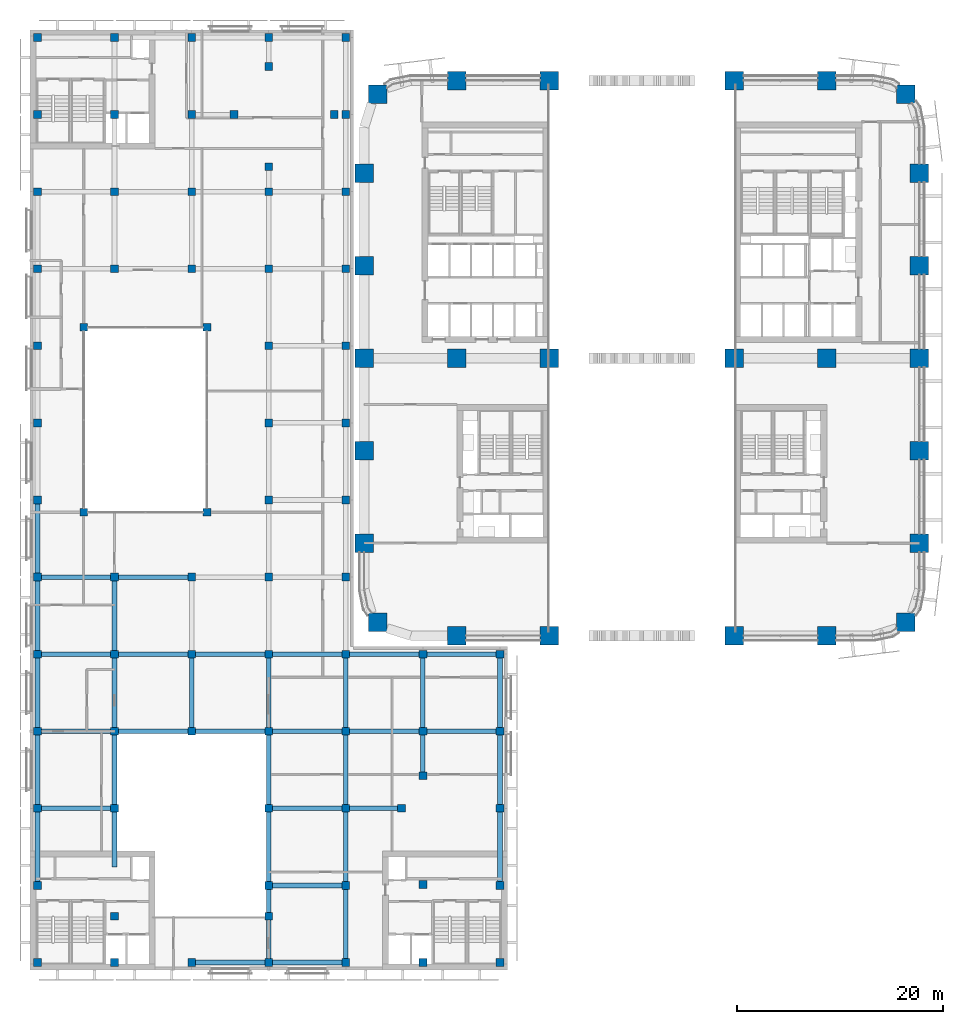
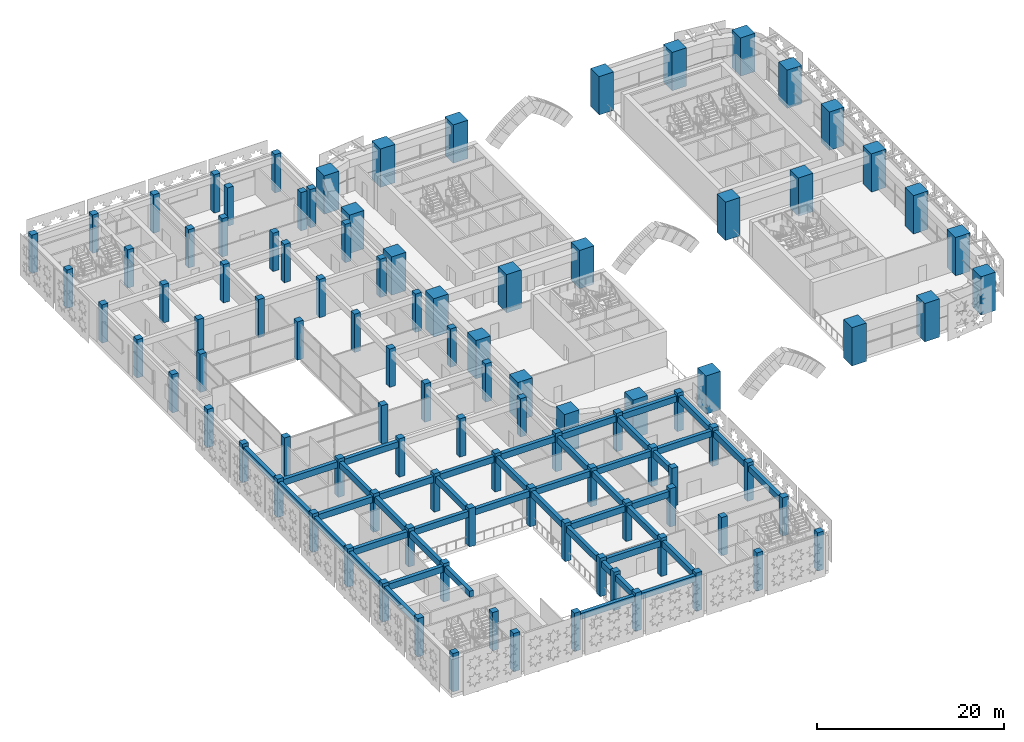
# One storey, part 1 of 40: 102 columns, 44 beams.
"""IFC4 building model written with IfcOpenShell, lengths in metres."""

import ifcopenshell
import ifcopenshell.guid

model = None  # the IFC model being written
_history = None  # IfcOwnerHistory: only IFC2X3 demands one
_inside = {}  # id of a spatial element -> (the spatial element, [elements in it])
_under = {}  # id of a project, library or spatial element -> (it, [spatial elements below it])
_declared = {}  # id of a project -> (the project, [libraries it declares])
_typed = {}  # id of a type object -> (the type object, [elements of that type])
_made_of = {}  # id of a material, layer set ... -> (it, [elements and type objects made of it])


def new_model(schema):
    """Start an empty IFC model of exactly this schema.

    Asked for "IFC4X3", IfcOpenShell would pick the latest addendum, in which some entities
    have other attributes; the version numbers below select the first issue.
    IFC2X3 requires an IfcOwnerHistory on every rooted entity: one is made here for all.
    """
    global model, _history
    if schema == "IFC4X3":
        model = ifcopenshell.file(schema_version=(4, 3, 0, 0))
    else:
        model = ifcopenshell.file(schema=schema)
    _inside.clear()
    _under.clear()
    _declared.clear()
    _typed.clear()
    _made_of.clear()
    _history = None
    if model.schema == "IFC2X3":
        org = make("IfcOrganization", Name="unknown")
        user = make(
            "IfcPersonAndOrganization",
            ThePerson=make("IfcPerson", FamilyName="unknown"),
            TheOrganization=org,
        )
        app = make(
            "IfcApplication",
            ApplicationDeveloper=org,
            Version="unknown",
            ApplicationFullName="unknown",
            ApplicationIdentifier="unknown",
        )
        _history = make(
            "IfcOwnerHistory",
            OwningUser=user,
            OwningApplication=app,
            ChangeAction="ADDED",
            CreationDate=0,
        )
    return model


def make(cls, **values):
    """One entity of the class cls with the attributes given. An attribute that is None is left unset."""
    return model.create_entity(
        cls, **{name: value for name, value in values.items() if value is not None}
    )


def rooted(cls, **values):
    """An entity with a GlobalId (a new one), such as an element, a storey or a relation."""
    return make(cls, GlobalId=ifcopenshell.guid.new(), OwnerHistory=_history, **values)


def si_unit(unit_type, name, prefix=None):
    """IfcSIUnit, for example si_unit("LENGTHUNIT", "METRE", prefix="MILLI")."""
    return make("IfcSIUnit", UnitType=unit_type, Prefix=prefix, Name=name)


def assignment(units):
    """IfcUnitAssignment: the units of a project."""
    return None if units is None else make("IfcUnitAssignment", Units=units)


def point(xyz):
    """IfcCartesianPoint."""
    return None if xyz is None else make("IfcCartesianPoint", Coordinates=xyz)


def direction(xyz):
    """IfcDirection."""
    return None if xyz is None else make("IfcDirection", DirectionRatios=xyz)


def frame(location, z_axis=None, x_axis=None):
    """IfcAxis2Placement3D, a coordinate frame: its origin and axes. An axis left out is left unset."""
    return make(
        "IfcAxis2Placement3D",
        Location=point(location),
        Axis=direction(z_axis),
        RefDirection=direction(x_axis),
    )


def frame_2d(location, x_axis=None):
    """IfcAxis2Placement2D, a coordinate frame in the plane: its origin and x axis."""
    return make(
        "IfcAxis2Placement2D", Location=point(location), RefDirection=direction(x_axis)
    )


def origin():
    """The frame at (0, 0, 0) with its axes left unset."""
    return frame((0.0, 0.0, 0.0))


def origin_2d():
    """The frame at (0, 0) in the plane with its x axis left unset."""
    return frame_2d((0.0, 0.0))


def place(relative_to, where):
    """IfcLocalPlacement: puts the frame where relative to a parent placement (None: the world)."""
    return make(
        "IfcLocalPlacement", PlacementRelTo=relative_to, RelativePlacement=where
    )


def context(
    kind, dimensions, precision=None, world=None, true_north=None, identifier=None
):
    """IfcGeometricRepresentationContext, for example the 3D "Model" context."""
    return make(
        "IfcGeometricRepresentationContext",
        ContextIdentifier=identifier,
        ContextType=kind,
        CoordinateSpaceDimension=dimensions,
        Precision=precision,
        WorldCoordinateSystem=world,
        TrueNorth=true_north,
    )


def subcontext(parent, identifier, kind, view, scale=None):
    """IfcGeometricRepresentationSubContext, for example "Body" below "Model"."""
    return make(
        "IfcGeometricRepresentationSubContext",
        ContextIdentifier=identifier,
        ContextType=kind,
        ParentContext=parent,
        TargetScale=scale,
        TargetView=view,
    )


def project(units=None, contexts=None):
    """IfcProject with its units and contexts."""
    return rooted(
        "IfcProject",
        Name="project",
        RepresentationContexts=contexts,
        UnitsInContext=assignment(units),
    )


def spatial(cls, under=None, at=None, **own):
    """A site, building, storey or space (cls), placed at a placement, below another one or the project."""
    s = rooted(cls, ObjectPlacement=at, **own)
    if under is not None:
        _under.setdefault(under.id(), (under, []))[1].append(s)
    return s


def profile(cls, at=None, kind="AREA", **sizes):
    """A parametric profile (cls). Its sizes go by their IFC names, for example OverallWidth=200.0."""
    return make(cls, ProfileType=kind, Position=at, **sizes)


def rectangle(**sizes):
    """IfcRectangleProfileDef."""
    return profile("IfcRectangleProfileDef", **sizes)


def extrude(swept, where, along, depth):
    """IfcExtrudedAreaSolid: the profile swept, set in the frame where, extruded along a direction by depth."""
    return make(
        "IfcExtrudedAreaSolid",
        SweptArea=swept,
        Position=where,
        ExtrudedDirection=direction(along),
        Depth=depth,
    )


def shape(context_of_items, identifier, shape_type, items):
    """IfcShapeRepresentation: the items that make up one representation, for example the "Body"."""
    return make(
        "IfcShapeRepresentation",
        ContextOfItems=context_of_items,
        RepresentationIdentifier=identifier,
        RepresentationType=shape_type,
        Items=items,
    )


def material(Name=None, Category=None):
    """IfcMaterial."""
    return make("IfcMaterial", Name=Name, Category=Category)


def material_profile(
    of_material, cross_section, Name=None, Category=None, Priority=None
):
    """IfcMaterialProfile: a cross section and its material."""
    return make(
        "IfcMaterialProfile",
        Name=Name,
        Material=of_material,
        Profile=cross_section,
        Priority=Priority,
        Category=Category,
    )


def profile_set(profiles, Name=None, composite=None):
    """IfcMaterialProfileSet."""
    return make(
        "IfcMaterialProfileSet",
        Name=Name,
        MaterialProfiles=profiles,
        CompositeProfile=composite,
    )


def made_of(thing, what):
    """Note that an element or type object is made of a material, layer set ...; save() writes the relation."""
    if what is not None:
        _made_of.setdefault(what.id(), (what, []))[1].append(thing)
    return thing


def type_object(cls, material=None, **own):
    """A type object (cls), such as IfcWallType, which elements share."""
    return made_of(rooted(cls, **own), material)


def element(
    cls,
    number,
    at=None,
    inside=None,
    cuts=None,
    type_object=None,
    material=None,
    context=None,
    identifier="Body",
    shape_type=None,
    held_by="IfcProductDefinitionShape",
    body=None,
    shapes=None,
    **own,
):
    """One element of the class cls, such as IfcWall. Its Tag is "e" and its number.

    at: its placement. inside: the storey or other place that contains it. cuts: it is an
    opening in that element (IfcRelVoidsElement). A single representation is given by context,
    identifier, shape_type and body (its items); several are given by shapes. held_by: the class
    of the entity that holds the representations. save() writes the other relations.
    """
    e = rooted(cls, Tag="e%d" % number, ObjectPlacement=at, **own)
    if body is not None:
        shapes = [shape(context, identifier, shape_type, body)]
    if shapes is not None:
        e.Representation = make(held_by, Representations=shapes)
    if inside is not None:
        _inside.setdefault(inside.id(), (inside, []))[1].append(e)
    if cuts is not None:
        rooted(
            "IfcRelVoidsElement", RelatingBuildingElement=cuts, RelatedOpeningElement=e
        )
    if type_object is not None:
        _typed.setdefault(type_object.id(), (type_object, []))[1].append(e)
    return made_of(e, material)


def aggregate(whole, parts):
    """IfcRelAggregates: a whole, such as a stair, and the parts it consists of."""
    return rooted("IfcRelAggregates", RelatingObject=whole, RelatedObjects=parts)


def save(model, path):
    """Write the relations noted so far, then the file.

    IfcRelAggregates (storeys below a building ...), IfcRelContainedInSpatialStructure (elements
    in a storey), IfcRelDefinesByType, IfcRelAssociatesMaterial and IfcRelDeclares: one each for
    every whole, place, type object, material and project.
    """
    for whole, parts in _under.values():
        aggregate(whole, parts)
    for where, things in _inside.values():
        rooted(
            "IfcRelContainedInSpatialStructure",
            RelatedElements=things,
            RelatingStructure=where,
        )
    for kind, things in _typed.values():
        rooted("IfcRelDefinesByType", RelatedObjects=things, RelatingType=kind)
    for what, things in _made_of.values():
        rooted("IfcRelAssociatesMaterial", RelatedObjects=things, RelatingMaterial=what)
    for by, libraries in _declared.values():
        rooted("IfcRelDeclares", RelatingContext=by, RelatedDefinitions=libraries)
    model.write(path)


model = new_model("IFC4")

# Units and contexts
model_context = context("Model", 3, precision=1e-05, world=origin(), true_north=direction((0.0, 1.0)))
body_context = subcontext(model_context, "Body", "Model", "MODEL_VIEW")
ifc_project = project(units=[si_unit("LENGTHUNIT", "METRE"), si_unit("AREAUNIT", "SQUARE_METRE"), si_unit("VOLUMEUNIT", "CUBIC_METRE"), si_unit("PLANEANGLEUNIT", "RADIAN"), si_unit("MASSUNIT", "GRAM", prefix="KILO")], contexts=[model_context])

# Site, building, storey
site_placement = place(None, origin())
site = spatial("IfcSite", under=ifc_project, at=site_placement, CompositionType="ELEMENT")
building_placement = place(site_placement, origin())
building = spatial("IfcBuilding", under=site, at=building_placement, Name="Tessera Arch", CompositionType="ELEMENT")
storey_placement = place(building_placement, frame((0.0, 0.0, 21.0)))
storey = spatial("IfcBuildingStorey", under=building, at=storey_placement, Name="L03", CompositionType="ELEMENT", Elevation=21.0)

# Columns
ifc_material_1 = material(Name="Concrete C40/50", Category="concrete")
ifc_material_profile_1 = material_profile(ifc_material_1, rectangle(XDim=0.75, YDim=0.75, at=origin_2d()), Name="Museum column 750 x 750 Concrete C40/50")
ifc_profile_set_1 = profile_set([ifc_material_profile_1], Name="Concrete C40/50")
column_type_1 = type_object("IfcColumnType", Name="Museum column 750 x 750 Concrete C40/50", PredefinedType="COLUMN", material=ifc_profile_set_1)
for number, where, z_axis, x_axis, name in (
    (1, (-31.800048828125, -31.800048828125, 0.0), (0.0, 0.0, 1.0), (1.0, 0.0, 0.0), "Museum column P1Q1 L03"),
    (2, (-31.800048828125, -24.300048828125, 0.0), (0.0, 0.0, 1.0), (1.0, 0.0, 0.0), "Museum column P1Q2 L03"),
    (3, (-31.800048828125, -16.800048828125, 0.0), (0.0, 0.0, 1.0), (1.0, 0.0, 0.0), "Museum column P1Q3 L03"),
    (4, (-31.800048828125, -9.300048828125, 0.0), (0.0, 0.0, 1.0), (1.0, 0.0, 0.0), "Museum column P1Q4 L03"),
    (5, (-31.800048828125, -1.800048828125, 0.0), (0.0, 0.0, 1.0), (1.0, 0.0, 0.0), "Museum column P1Q5 L03"),
    (6, (-31.800048828125, 5.699951171875, 0.0), (0.0, 0.0, 1.0), (1.0, 0.0, 0.0), "Museum column P1Q6 L03"),
    (7, (-31.800048828125, 13.199951171875, 0.0), (0.0, 0.0, 1.0), (1.0, 0.0, 0.0), "Museum column P1Q7 L03"),
    (8, (-31.800048828125, 20.699951171875, 0.0), (0.0, 0.0, 1.0), (1.0, 0.0, 0.0), "Museum column P1Q8 L03"),
    (9, (-31.800048828125, 28.199951171875, 0.0), (0.0, 0.0, 1.0), (1.0, 0.0, 0.0), "Museum column P1Q9 L03"),
    (10, (-31.800048828125, 35.699951171875, 0.0), (0.0, 0.0, 1.0), (1.0, 0.0, 0.0), "Museum column P1Q10 L03"),
    (11, (-31.800048828125, 43.199951171875, 0.0), (0.0, 0.0, 1.0), (1.0, 0.0, 0.0), "Museum column P1Q11 L03"),
    (12, (-31.800048828125, 50.699951171875, 0.0), (0.0, 0.0, 1.0), (1.0, 0.0, 0.0), "Museum column P1Q12 L03"),
    (13, (-31.800048828125, 58.199951171875, 0.0), (0.0, 0.0, 1.0), (1.0, 0.0, 0.0), "Museum column P1Q13 L03"),
    (14, (-24.300048828125, -31.800048828125, 0.0), (0.0, 0.0, 1.0), (1.0, 0.0, 0.0), "Museum column P2Q1 L03"),
    (15, (-24.300048828125, -16.800048828125, 0.0), (0.0, 0.0, 1.0), (1.0, 0.0, 0.0), "Museum column P2Q3 L03"),
    (16, (-24.300048828125, -9.300048828125, 0.0), (0.0, 0.0, 1.0), (1.0, 0.0, 0.0), "Museum column P2Q4 L03"),
    (17, (-24.300048828125, -1.800048828125, 0.0), (0.0, 0.0, 1.0), (1.0, 0.0, 0.0), "Museum column P2Q5 L03"),
    (18, (-24.300048828125, 5.699951171875, 0.0), (0.0, 0.0, 1.0), (1.0, 0.0, 0.0), "Museum column P2Q6 L03"),
    (19, (-24.300048828125, 35.699951171875, 0.0), (0.0, 0.0, 1.0), (1.0, 0.0, 0.0), "Museum column P2Q10 L03"),
    (20, (-24.300048828125, 43.199951171875, 0.0), (0.0, 0.0, 1.0), (1.0, 0.0, 0.0), "Museum column P2Q11 L03"),
    (21, (-24.300048828125, 50.699951171875, 0.0), (0.0, 0.0, 1.0), (1.0, 0.0, 0.0), "Museum column P2Q12 L03"),
    (22, (-24.300048828125, 58.199951171875, 0.0), (0.0, 0.0, 1.0), (1.0, 0.0, 0.0), "Museum column P2Q13 L03"),
    (23, (-16.800048828125, -31.800048828125, 0.0), (0.0, 0.0, 1.0), (1.0, 0.0, 0.0), "Museum column P3Q1 L03"),
    (24, (-16.800048828125, -9.300048828125, 0.0), (0.0, 0.0, 1.0), (1.0, 0.0, 0.0), "Museum column P3Q4 L03"),
    (25, (-16.800048828125, -1.800048828125, 0.0), (0.0, 0.0, 1.0), (1.0, 0.0, 0.0), "Museum column P3Q5 L03"),
    (26, (-16.800048828125, 5.699951171875, 0.0), (0.0, 0.0, 1.0), (1.0, 0.0, 0.0), "Museum column P3Q6 L03"),
    (27, (-16.800048828125, 35.699951171875, 0.0), (0.0, 0.0, 1.0), (1.0, 0.0, 0.0), "Museum column P3Q10 L03"),
    (28, (-16.800048828125, 43.199951171875, 0.0), (0.0, 0.0, 1.0), (1.0, 0.0, 0.0), "Museum column P3Q11 L03"),
    (29, (-16.800048828125, 50.699951171875, 0.0), (0.0, 0.0, 1.0), (1.0, 0.0, 0.0), "Museum column P3Q12 L03"),
    (30, (-16.800048828125, 58.199951171875, 0.0), (0.0, 0.0, 1.0), (1.0, 0.0, 0.0), "Museum column P3Q13 L03"),
    (31, (-9.300048828125, -31.800048828125, 0.0), (0.0, 0.0, 1.0), (1.0, 0.0, 0.0), "Museum column P4Q1 L03"),
    (32, (-9.300048828125, -24.300048828125, 0.0), (0.0, 0.0, 1.0), (1.0, 0.0, 0.0), "Museum column P4Q2 L03"),
    (33, (-9.300048828125, -16.800048828125, 0.0), (0.0, 0.0, 1.0), (1.0, 0.0, 0.0), "Museum column P4Q3 L03"),
    (34, (-9.300048828125, -9.300048828125, 0.0), (0.0, 0.0, 1.0), (1.0, 0.0, 0.0), "Museum column P4Q4 L03"),
    (35, (-9.300048828125, -1.800048828125, 0.0), (0.0, 0.0, 1.0), (1.0, 0.0, 0.0), "Museum column P4Q5 L03"),
    (36, (-9.300048828125, 5.699951171875, 0.0), (0.0, 0.0, 1.0), (1.0, 0.0, 0.0), "Museum column P4Q6 L03"),
    (37, (-9.300048828125, 13.199951171875, 0.0), (0.0, 0.0, 1.0), (1.0, 0.0, 0.0), "Museum column P4Q7 L03"),
    (38, (-9.300048828125, 20.699951171875, 0.0), (0.0, 0.0, 1.0), (1.0, 0.0, 0.0), "Museum column P4Q8 L03"),
    (39, (-9.300048828125, 28.199951171875, 0.0), (0.0, 0.0, 1.0), (1.0, 0.0, 0.0), "Museum column P4Q9 L03"),
    (40, (-9.300048828125, 35.699951171875, 0.0), (0.0, 0.0, 1.0), (1.0, 0.0, 0.0), "Museum column P4Q10 L03"),
    (41, (-9.300048828125, 43.199951171875, 0.0), (0.0, 0.0, 1.0), (1.0, 0.0, 0.0), "Museum column P4Q11 L03"),
    (42, (-9.300048828125, 58.199951171875, 0.0), (0.0, 0.0, 1.0), (1.0, 0.0, 0.0), "Museum column P4Q13 L03"),
    (43, (-1.800048828125, -31.800048828125, 0.0), (0.0, 0.0, 1.0), (1.0, 0.0, 0.0), "Museum column P5Q1 L03"),
    (44, (-1.800048828125, -24.300048828125, 0.0), (0.0, 0.0, 1.0), (1.0, 0.0, 0.0), "Museum column P5Q2 L03"),
    (45, (-1.800048828125, -16.800048828125, 0.0), (0.0, 0.0, 1.0), (1.0, 0.0, 0.0), "Museum column P5Q3 L03"),
    (46, (-1.800048828125, -9.300048828125, 0.0), (0.0, 0.0, 1.0), (1.0, 0.0, 0.0), "Museum column P5Q4 L03"),
    (47, (-1.800048828125, -1.800048828125, 0.0), (0.0, 0.0, 1.0), (1.0, 0.0, 0.0), "Museum column P5Q5 L03"),
    (48, (-1.800048828125, 5.699951171875, 0.0), (0.0, 0.0, 1.0), (1.0, 0.0, 0.0), "Museum column P5Q6 L03"),
    (49, (-1.800048828125, 13.199951171875, 0.0), (0.0, 0.0, 1.0), (1.0, 0.0, 0.0), "Museum column P5Q7 L03"),
    (50, (-1.800048828125, 20.699951171875, 0.0), (0.0, 0.0, 1.0), (1.0, 0.0, 0.0), "Museum column P5Q8 L03"),
    (51, (-1.800048828125, 28.199951171875, 0.0), (0.0, 0.0, 1.0), (1.0, 0.0, 0.0), "Museum column P5Q9 L03"),
    (52, (-1.800048828125, 35.699951171875, 0.0), (0.0, 0.0, 1.0), (1.0, 0.0, 0.0), "Museum column P5Q10 L03"),
    (53, (-1.800048828125, 43.199951171875, 0.0), (0.0, 0.0, 1.0), (1.0, 0.0, 0.0), "Museum column P5Q11 L03"),
    (54, (-1.800048828125, 50.699951171875, 0.0), (0.0, 0.0, 1.0), (1.0, 0.0, 0.0), "Museum column P5Q12 L03"),
    (55, (-1.800048828125, 58.199951171875, 0.0), (0.0, 0.0, 1.0), (1.0, 0.0, 0.0), "Museum column P5Q13 L03"),
    (56, (5.699951171875, -31.800048828125, 0.0), (0.0, 0.0, 1.0), (1.0, 0.0, 0.0), "Museum column P6Q1 L03"),
    (57, (5.699951171875, -24.199951171875, 0.0), (0.0, 0.0, 1.0), (1.0, 0.0, 0.0), "Museum column P6Q2 L03"),
    (58, (5.699951171875, -9.300048828125, 0.0), (0.0, 0.0, 1.0), (1.0, 0.0, 0.0), "Museum column P6Q4 L03"),
    (59, (5.699951171875, -1.800048828125, 0.0), (0.0, 0.0, 1.0), (1.0, 0.0, 0.0), "Museum column P6Q5 L03"),
    (60, (13.199951171875, -31.800048828125, 0.0), (0.0, 0.0, 1.0), (1.0, 0.0, 0.0), "Museum column P7Q1 L03"),
    (61, (13.199951171875, -24.300048828125, 0.0), (0.0, 0.0, 1.0), (1.0, 0.0, 0.0), "Museum column P7Q2 L03"),
    (62, (13.199951171875, -16.800048828125, 0.0), (0.0, 0.0, 1.0), (1.0, 0.0, 0.0), "Museum column P7Q3 L03"),
    (63, (13.199951171875, -9.300048828125, 0.0), (0.0, 0.0, 1.0), (1.0, 0.0, 0.0), "Museum column P7Q4 L03"),
    (64, (13.199951171875, -1.800048828125, 0.0), (0.0, 0.0, 1.0), (1.0, 0.0, 0.0), "Museum column P7Q5 L03"),
    (65, (-27.300048828125, 12.0, 0.0), (0.0, 0.0, 1.0), (1.0, 0.0, 0.0), "Museum column C1 L03"),
    (66, (-15.300048828125, 12.0, 0.0), (0.0, 0.0, 1.0), (1.0, 0.0, 0.0), "Museum column C2 L03"),
    (67, (-15.300048828125, 30.0, 0.0), (0.0, 0.0, 1.0), (1.0, 0.0, 0.0), "Museum column C3 L03"),
    (68, (-27.300048828125, 30.0, 0.0), (0.0, 0.0, 1.0), (1.0, 0.0, 0.0), "Museum column C4 L03"),
    (69, (-24.300048828125, -27.300048828125, 0.0), (0.0, 0.0, 1.0), (1.0, 0.0, 0.0), "Museum column A1 L03"),
    (70, (-9.300048828125, -27.300048828125, 0.0), (0.0, 0.0, 1.0), (1.0, 0.0, 0.0), "Museum column A2 L03"),
    (71, (-12.675048828125, 50.699951171875, 0.0), (0.0, 0.0, 1.0), (1.0, 0.0, 0.0), "Museum column P3Q12TE L03"),
    (72, (-9.300048828125, 45.625, 0.0), (0.0, 0.0, 1.0), (1.0, 0.0, 0.0), "Museum column P4Q11TN L03"),
    (73, (-9.300048828125, 55.375, 0.0), (0.0, 0.0, 1.0), (1.0, 0.0, 0.0), "Museum column P4Q13TS L03"),
    (74, (3.625, -16.800048828125, 0.0), (0.0, 0.0, 1.0), (1.0, 0.0, 0.0), "Museum column P5Q3TE L03"),
    (75, (-2.925048828125, 50.699951171875, 0.0), (0.0, 0.0, 1.0), (1.0, 0.0, 0.0), "Museum column P5Q12TW L03"),
    (76, (5.699951171875, -13.625, 0.0), (0.0, 0.0, 1.0), (1.0, 0.0, 0.0), "Museum column P6Q4TS L03"),
):
    element("IfcColumn", number, at=place(storey_placement, frame(where, z_axis=z_axis, x_axis=x_axis)), inside=storey, type_object=column_type_1, Name=name, PredefinedType="COLUMN", context=body_context, shape_type="SweptSolid", body=[
        extrude(rectangle(XDim=0.75, YDim=0.75, at=origin_2d()), origin(), (0.0, 0.0, 1.0), 5.0),
    ])
ifc_material_2 = material(Name="Concrete C80/95", Category="concrete")
ifc_material_profile_2 = material_profile(ifc_material_2, rectangle(XDim=1.800048828125, YDim=1.800048828125, at=origin_2d()), Name="RC column 1800 x 1800 Concrete C80/95")
ifc_profile_set_2 = profile_set([ifc_material_profile_2], Name="Concrete C80/95")
column_type_2 = type_object("IfcColumnType", Name="RC column 1800 x 1800 Concrete C80/95", PredefinedType="COLUMN", material=ifc_profile_set_2)
for number, where, z_axis, x_axis, name in (
    (77, (1.318115234375, 1.318115234375, 0.0), (0.0, 0.0, 1.0), (1.0, 0.0, 0.0), "Column C1A L03"),
    (78, (0.0, 9.0, 0.0), (0.0, 0.0, 1.0), (1.0, 0.0, 0.0), "Column C1B L03"),
    (79, (0.0, 18.0, 0.0), (0.0, 0.0, 1.0), (1.0, 0.0, 0.0), "Column C1C L03"),
    (80, (0.0, 27.0, 0.0), (0.0, 0.0, 1.0), (1.0, 0.0, 0.0), "Column C1D L03"),
    (81, (0.0, 36.0, 0.0), (0.0, 0.0, 1.0), (1.0, 0.0, 0.0), "Column C1E L03"),
    (82, (0.0, 45.0, 0.0), (0.0, 0.0, 1.0), (1.0, 0.0, 0.0), "Column C1F L03"),
    (83, (1.318115234375, 52.681884765625, 0.0), (0.0, 0.0, 1.0), (1.0, 0.0, 0.0), "Column C1G L03"),
    (84, (9.0, 0.0, 0.0), (0.0, 0.0, 1.0), (1.0, 0.0, 0.0), "Column C2A L03"),
    (85, (9.0, 27.0, 0.0), (0.0, 0.0, 1.0), (1.0, 0.0, 0.0), "Column C2D L03"),
    (86, (9.0, 54.0, 0.0), (0.0, 0.0, 1.0), (1.0, 0.0, 0.0), "Column C2G L03"),
    (87, (18.0, 0.0, 0.0), (0.0, 0.0, 1.0), (1.0, 0.0, 0.0), "Column C3A L03"),
    (88, (18.0, 27.0, 0.0), (0.0, 0.0, 1.0), (1.0, 0.0, 0.0), "Column C3D L03"),
    (89, (18.0, 54.0, 0.0), (0.0, 0.0, 1.0), (1.0, 0.0, 0.0), "Column C3G L03"),
    (90, (36.0, 0.0, 0.0), (0.0, 0.0, 1.0), (1.0, 0.0, 0.0), "Column C5A L03"),
    (91, (36.0, 27.0, 0.0), (0.0, 0.0, 1.0), (1.0, 0.0, 0.0), "Column C5D L03"),
    (92, (36.0, 54.0, 0.0), (0.0, 0.0, 1.0), (1.0, 0.0, 0.0), "Column C5G L03"),
    (93, (45.0, 0.0, 0.0), (0.0, 0.0, 1.0), (1.0, 0.0, 0.0), "Column C6A L03"),
    (94, (45.0, 27.0, 0.0), (0.0, 0.0, 1.0), (1.0, 0.0, 0.0), "Column C6D L03"),
    (95, (45.0, 54.0, 0.0), (0.0, 0.0, 1.0), (1.0, 0.0, 0.0), "Column C6G L03"),
    (96, (52.681884765625, 1.318115234375, 0.0), (0.0, 0.0, 1.0), (1.0, 0.0, 0.0), "Column C7A L03"),
    (97, (54.0, 9.0, 0.0), (0.0, 0.0, 1.0), (1.0, 0.0, 0.0), "Column C7B L03"),
    (98, (54.0, 18.0, 0.0), (0.0, 0.0, 1.0), (1.0, 0.0, 0.0), "Column C7C L03"),
    (99, (54.0, 27.0, 0.0), (0.0, 0.0, 1.0), (1.0, 0.0, 0.0), "Column C7D L03"),
    (100, (54.0, 36.0, 0.0), (0.0, 0.0, 1.0), (1.0, 0.0, 0.0), "Column C7E L03"),
    (101, (54.0, 45.0, 0.0), (0.0, 0.0, 1.0), (1.0, 0.0, 0.0), "Column C7F L03"),
    (102, (52.681884765625, 52.681884765625, 0.0), (0.0, 0.0, 1.0), (1.0, 0.0, 0.0), "Column C7G L03"),
):
    element("IfcColumn", number, at=place(storey_placement, frame(where, z_axis=z_axis, x_axis=x_axis)), inside=storey, type_object=column_type_2, Name=name, PredefinedType="COLUMN", context=body_context, shape_type="SweptSolid", body=[
        extrude(rectangle(XDim=1.800048828125, YDim=1.800048828125, at=origin_2d()), origin(), (0.0, 0.0, 1.0), 5.0),
    ])

# Beams
ifc_material_3 = material(Name="Concrete C40/50", Category="concrete")
ifc_material_profile_3 = material_profile(ifc_material_3, rectangle(XDim=0.449951171875, YDim=0.800048828125, at=origin_2d()), Name="Museum beam 450 x 800 Concrete C40/50")
ifc_profile_set_3 = profile_set([ifc_material_profile_3], Name="Concrete C40/50")
beam_type = type_object("IfcBeamType", Name="Museum beam 450 x 800 Concrete C40/50", PredefinedType="BEAM", material=ifc_profile_set_3)
for number, where, z_axis, x_axis, name in (
    (103, (-31.800048828125, -23.925048828125, 4.18994140625), (0.0, 1.0, 0.0), (-1.0, 0.0, 0.0), "Museum beam L03 1"),
    (104, (-31.800048828125, -16.425048828125, 4.18994140625), (0.0, 1.0, 0.0), (-1.0, 0.0, 0.0), "Museum beam L03 2"),
    (105, (-31.800048828125, -8.925048828125, 4.18994140625), (0.0, 1.0, 0.0), (-1.0, 0.0, 0.0), "Museum beam L03 3"),
    (106, (-31.800048828125, -1.425048828125, 4.18994140625), (0.0, 1.0, 0.0), (-1.0, 0.0, 0.0), "Museum beam L03 4"),
    (107, (-31.800048828125, 6.074951171875, 4.18994140625), (0.0, 1.0, 0.0), (-1.0, 0.0, 0.0), "Museum beam L03 5"),
    (108, (-24.300048828125, -16.425048828125, 4.18994140625), (0.0, 1.0, 0.0), (-1.0, 0.0, 0.0), "Museum beam L03 10"),
    (109, (-24.300048828125, -8.925048828125, 4.18994140625), (0.0, 1.0, 0.0), (-1.0, 0.0, 0.0), "Museum beam L03 11"),
    (110, (-24.300048828125, -1.425048828125, 4.18994140625), (0.0, 1.0, 0.0), (-1.0, 0.0, 0.0), "Museum beam L03 12"),
    (111, (-16.800048828125, -8.925048828125, 4.18994140625), (0.0, 1.0, 0.0), (-1.0, 0.0, 0.0), "Museum beam L03 16"),
):
    element("IfcBeam", number, at=place(storey_placement, frame(where, z_axis=z_axis, x_axis=x_axis)), inside=storey, type_object=beam_type, Name=name, PredefinedType="BEAM", context=body_context, shape_type="SweptSolid", body=[
        extrude(rectangle(XDim=0.449951171875, YDim=0.800048828125, at=origin_2d()), origin(), (0.0, 0.0, 1.0), 6.75),
    ])
beam_1_placement = place(storey_placement, frame((-9.300048828125, -31.425048828125, 4.18994140625), z_axis=(0.0, 1.0, 0.0), x_axis=(-1.0, 0.0, 0.0)))
element("IfcBeam", 112, at=beam_1_placement, inside=storey, type_object=beam_type, Name="Museum beam L03 21", PredefinedType="BEAM", context=body_context, shape_type="SweptSolid", body=[
    extrude(rectangle(XDim=0.449951171875, YDim=0.800048828125, at=origin_2d()), origin(), (0.0, 0.0, 1.0), 3.75),
])
beam_2_placement = place(storey_placement, frame((-9.300048828125, -26.925048828125, 4.18994140625), z_axis=(0.0, 1.0, 0.0), x_axis=(-1.0, 0.0, 0.0)))
element("IfcBeam", 113, at=beam_2_placement, inside=storey, type_object=beam_type, Name="Museum beam L03 22", PredefinedType="BEAM", context=body_context, shape_type="SweptSolid", body=[
    extrude(rectangle(XDim=0.449951171875, YDim=0.800048828125, at=origin_2d()), origin(), (0.0, 0.0, 1.0), 2.25),
])
for number, where, z_axis, x_axis, name in (
    (114, (-9.300048828125, -23.925048828125, 4.18994140625), (0.0, 1.0, 0.0), (-1.0, 0.0, 0.0), "Museum beam L03 23"),
    (115, (-9.300048828125, -16.425048828125, 4.18994140625), (0.0, 1.0, 0.0), (-1.0, 0.0, 0.0), "Museum beam L03 24"),
    (116, (-9.300048828125, -8.925048828125, 4.18994140625), (0.0, 1.0, 0.0), (-1.0, 0.0, 0.0), "Museum beam L03 25"),
    (117, (-1.800048828125, -31.425048828125, 4.18994140625), (0.0, 1.0, 0.0), (-1.0, 0.0, 0.0), "Museum beam L03 34"),
    (118, (-1.800048828125, -23.925048828125, 4.18994140625), (0.0, 1.0, 0.0), (-1.0, 0.0, 0.0), "Museum beam L03 35"),
    (119, (-1.800048828125, -16.425048828125, 4.18994140625), (0.0, 1.0, 0.0), (-1.0, 0.0, 0.0), "Museum beam L03 36"),
    (120, (-1.800048828125, -8.925048828125, 4.18994140625), (0.0, 1.0, 0.0), (-1.0, 0.0, 0.0), "Museum beam L03 37"),
):
    element("IfcBeam", number, at=place(storey_placement, frame(where, z_axis=z_axis, x_axis=x_axis)), inside=storey, type_object=beam_type, Name=name, PredefinedType="BEAM", context=body_context, shape_type="SweptSolid", body=[
        extrude(rectangle(XDim=0.449951171875, YDim=0.800048828125, at=origin_2d()), origin(), (0.0, 0.0, 1.0), 6.75),
    ])
beam_3_placement = place(storey_placement, frame((5.699951171875, -13.25, 4.18994140625), z_axis=(0.0, 1.0, 0.0), x_axis=(-1.0, 0.0, 0.0)))
element("IfcBeam", 121, at=beam_3_placement, inside=storey, type_object=beam_type, Name="Museum beam L03 46", PredefinedType="BEAM", context=body_context, shape_type="SweptSolid", body=[
    extrude(rectangle(XDim=0.449951171875, YDim=0.800048828125, at=origin_2d()), origin(), (0.0, 0.0, 1.0), 3.574951171875),
])
for number, where, z_axis, x_axis, name in (
    (122, (5.699951171875, -8.925048828125, 4.18994140625), (0.0, 1.0, 0.0), (-1.0, 0.0, 0.0), "Museum beam L03 47"),
    (123, (13.199951171875, -23.925048828125, 4.18994140625), (0.0, 1.0, 0.0), (-1.0, 0.0, 0.0), "Museum beam L03 48"),
    (124, (13.199951171875, -16.425048828125, 4.18994140625), (0.0, 1.0, 0.0), (-1.0, 0.0, 0.0), "Museum beam L03 49"),
    (125, (13.199951171875, -8.925048828125, 4.18994140625), (0.0, 1.0, 0.0), (-1.0, 0.0, 0.0), "Museum beam L03 50"),
    (126, (-16.425048828125, -31.800048828125, 4.18994140625), (1.0, 0.0, 0.0), (0.0, 1.0, 0.0), "Museum beam L03 51"),
    (127, (-8.925048828125, -31.800048828125, 4.18994140625), (1.0, 0.0, 0.0), (0.0, 1.0, 0.0), "Museum beam L03 52"),
    (128, (-8.925048828125, -24.300048828125, 4.18994140625), (1.0, 0.0, 0.0), (0.0, 1.0, 0.0), "Museum beam L03 53"),
    (129, (-31.425048828125, -16.800048828125, 4.18994140625), (1.0, 0.0, 0.0), (0.0, 1.0, 0.0), "Museum beam L03 54"),
    (130, (-8.925048828125, -16.800048828125, 4.18994140625), (1.0, 0.0, 0.0), (0.0, 1.0, 0.0), "Museum beam L03 55"),
):
    element("IfcBeam", number, at=place(storey_placement, frame(where, z_axis=z_axis, x_axis=x_axis)), inside=storey, type_object=beam_type, Name=name, PredefinedType="BEAM", context=body_context, shape_type="SweptSolid", body=[
        extrude(rectangle(XDim=0.449951171875, YDim=0.800048828125, at=origin_2d()), origin(), (0.0, 0.0, 1.0), 6.75),
    ])
beam_4_placement = place(storey_placement, frame((-1.425048828125, -16.800048828125, 4.18994140625), z_axis=(1.0, 0.0, 0.0), x_axis=(0.0, 1.0, 0.0)))
element("IfcBeam", 131, at=beam_4_placement, inside=storey, type_object=beam_type, Name="Museum beam L03 56", PredefinedType="BEAM", context=body_context, shape_type="SweptSolid", body=[
    extrude(rectangle(XDim=0.449951171875, YDim=0.800048828125, at=origin_2d()), origin(), (0.0, 0.0, 1.0), 4.675048828125),
])
for number, where, z_axis, x_axis, name in (
    (132, (-31.425048828125, -9.300048828125, 4.18994140625), (1.0, 0.0, 0.0), (0.0, 1.0, 0.0), "Museum beam L03 57"),
    (133, (-23.925048828125, -9.300048828125, 4.18994140625), (1.0, 0.0, 0.0), (0.0, 1.0, 0.0), "Museum beam L03 58"),
    (134, (-16.425048828125, -9.300048828125, 4.18994140625), (1.0, 0.0, 0.0), (0.0, 1.0, 0.0), "Museum beam L03 59"),
    (135, (-8.925048828125, -9.300048828125, 4.18994140625), (1.0, 0.0, 0.0), (0.0, 1.0, 0.0), "Museum beam L03 60"),
    (136, (-1.425048828125, -9.300048828125, 4.18994140625), (1.0, 0.0, 0.0), (0.0, 1.0, 0.0), "Museum beam L03 61"),
    (137, (6.074951171875, -9.300048828125, 4.18994140625), (1.0, 0.0, 0.0), (0.0, 1.0, 0.0), "Museum beam L03 62"),
    (138, (-31.425048828125, -1.800048828125, 4.18994140625), (1.0, 0.0, 0.0), (0.0, 1.0, 0.0), "Museum beam L03 63"),
    (139, (-23.925048828125, -1.800048828125, 4.18994140625), (1.0, 0.0, 0.0), (0.0, 1.0, 0.0), "Museum beam L03 64"),
    (140, (-16.425048828125, -1.800048828125, 4.18994140625), (1.0, 0.0, 0.0), (0.0, 1.0, 0.0), "Museum beam L03 65"),
    (141, (-8.925048828125, -1.800048828125, 4.18994140625), (1.0, 0.0, 0.0), (0.0, 1.0, 0.0), "Museum beam L03 66"),
    (142, (-1.425048828125, -1.800048828125, 4.18994140625), (1.0, 0.0, 0.0), (0.0, 1.0, 0.0), "Museum beam L03 67"),
    (143, (6.074951171875, -1.800048828125, 4.18994140625), (1.0, 0.0, 0.0), (0.0, 1.0, 0.0), "Museum beam L03 68"),
    (144, (-31.425048828125, 5.699951171875, 4.18994140625), (1.0, 0.0, 0.0), (0.0, 1.0, 0.0), "Museum beam L03 69"),
    (145, (-23.925048828125, 5.699951171875, 4.18994140625), (1.0, 0.0, 0.0), (0.0, 1.0, 0.0), "Museum beam L03 70"),
):
    element("IfcBeam", number, at=place(storey_placement, frame(where, z_axis=z_axis, x_axis=x_axis)), inside=storey, type_object=beam_type, Name=name, PredefinedType="BEAM", context=body_context, shape_type="SweptSolid", body=[
        extrude(rectangle(XDim=0.449951171875, YDim=0.800048828125, at=origin_2d()), origin(), (0.0, 0.0, 1.0), 6.75),
    ])
beam_5_placement = place(storey_placement, frame((-24.300048828125, -17.175048828125, 4.18994140625), z_axis=(0.0, -1.0, 0.0), x_axis=(1.0, 0.0, 0.0)))
element("IfcBeam", 146, at=beam_5_placement, inside=storey, type_object=beam_type, Name="Museum beam L03 89", PredefinedType="BEAM", context=body_context, shape_type="SweptSolid", body=[
    extrude(rectangle(XDim=0.449951171875, YDim=0.800048828125, at=origin_2d()), origin(), (0.0, 0.0, 1.0), 5.324951171875),
])

save(model, "model.ifc")
